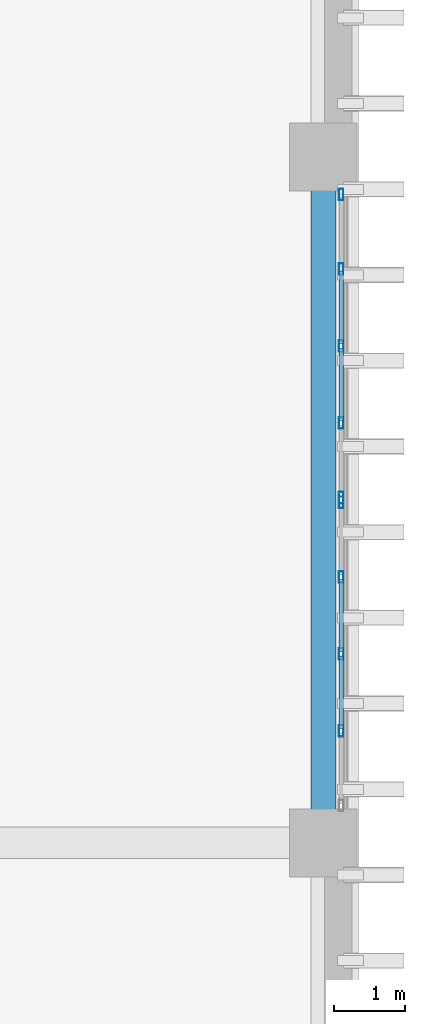
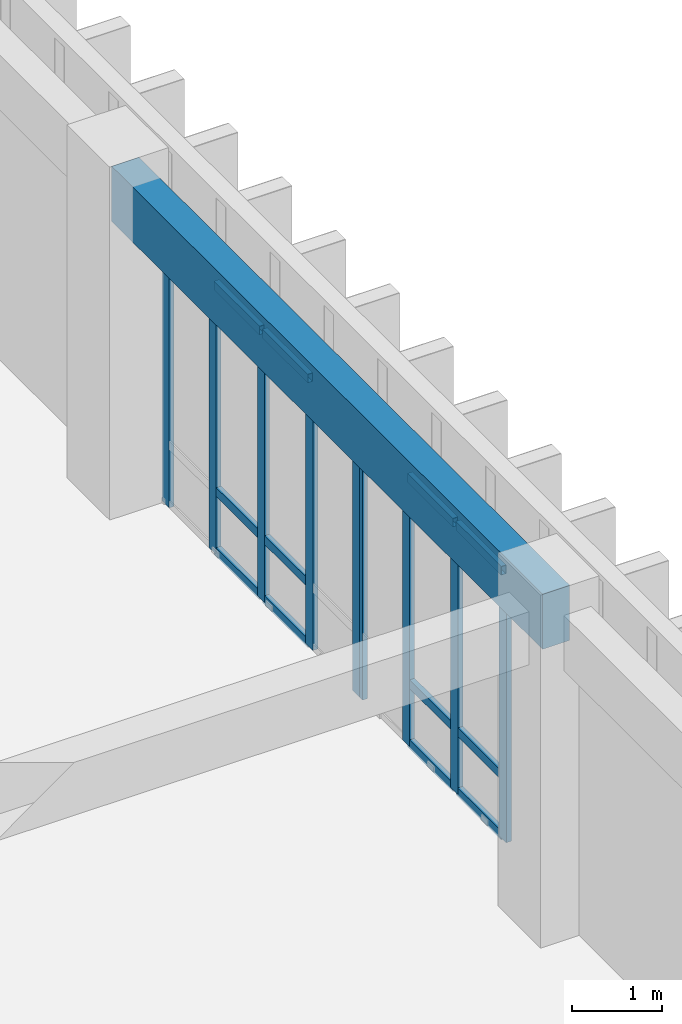
# One storey, part 62 of 133: 21 members, 1 beam, 2 elements without a shape of their own.
"""IFC4 building model written with IfcOpenShell, lengths in metres."""

from ifc_helpers import new_model, si_unit, direction, frame, origin, origin_2d, place, context, subcontext, project, spatial, rectangle, hollow_rectangle, extrude, material, layer, layer_set, material_profile, profile_set, type_object, element, aggregate, save


model = new_model("IFC4")

# Units and contexts
model_context = context("Model", 3, precision=1e-05, world=origin(), true_north=direction((0.0, 1.0)))
body_context = subcontext(model_context, "Body", "Model", "MODEL_VIEW")
ifc_project = project(units=[si_unit("LENGTHUNIT", "METRE"), si_unit("AREAUNIT", "SQUARE_METRE"), si_unit("VOLUMEUNIT", "CUBIC_METRE"), si_unit("PLANEANGLEUNIT", "RADIAN"), si_unit("MASSUNIT", "GRAM", prefix="KILO")], contexts=[model_context])

# Site, building, storey
site_placement = place(None, origin())
site = spatial("IfcSite", under=ifc_project, at=site_placement, CompositionType="ELEMENT")
building_placement = place(site_placement, origin())
building = spatial("IfcBuilding", under=site, at=building_placement, Name="Nakhvara Creek Congress Hotel", CompositionType="ELEMENT")
storey_placement = place(building_placement, frame((0.0, 0.0, 11.39990234375)))
storey = spatial("IfcBuildingStorey", under=building, at=storey_placement, Name="L02", CompositionType="ELEMENT", Elevation=11.39990234375)

# Beam
ifc_material_1 = material(Name="Concrete C40/50", Category="concrete")
ifc_material_profile_1 = material_profile(ifc_material_1, rectangle(XDim=0.35009765625, YDim=0.75, at=origin_2d()), Name="RC-SPANDREL 350x750", Category="LoadBearing")
ifc_profile_set_1 = profile_set([ifc_material_profile_1], Name="Concrete C40/50")
beam_type = type_object("IfcBeamType", Name="BM-SPN-350X750", PredefinedType="SPANDREL", material=ifc_profile_set_1)
beam_placement = place(storey_placement, frame((179.35009765625, 28.800048828125, 4.045166015625), z_axis=(0.0, 1.0, 0.0), x_axis=(-1.0, 0.0, 0.0)))
element("IfcBeam", 1, at=beam_placement, inside=storey, type_object=beam_type, Name="Beam SP1-L02-1654", PredefinedType="SPANDREL", context=body_context, shape_type="SweptSolid", body=[
    extrude(rectangle(XDim=0.35009765625, YDim=0.75, at=origin_2d()), origin(), (0.0, 0.0, 1.0), 9.599853515625),
])

# Curtain wall, members
ifc_material_2 = material(Name="Bronze-anodised aluminium AW-6063-T6 and double-silver low-E glass", Category="aluminium")
ifc_layer = layer(ifc_material_2, 0.199951171875)
ifc_layer_set = layer_set([ifc_layer], Name="Bronze-anodised aluminium AW-6063-T6 and double-silver low-E glass")
curtain_wall_type = type_object("IfcCurtainWallType", Name="CW-HTL-UNIT", PredefinedType="USERDEFINED", material=ifc_layer_set)
curtain_wall_1_placement = place(storey_placement, origin())
curtain_wall_1 = element("IfcCurtainWall", 2, at=curtain_wall_1_placement, inside=storey, type_object=curtain_wall_type, Name="Curtain Wall CW132", ObjectType="UNITISED", PredefinedType="USERDEFINED")
ifc_material_3 = material(Name="Bronze-anodised aluminium AW-6063-T6", Category="aluminium")
ifc_material_profile_2 = material_profile(ifc_material_3, hollow_rectangle(XDim=0.06494140625, YDim=0.159912109375, WallThickness=0.00390625, at=origin_2d()), Name="ALU-MULL 65x160x4", Category="LoadBearing")
ifc_profile_set_2 = profile_set([ifc_material_profile_2], Name="Bronze-anodised aluminium AW-6063-T6")
member_type_1 = type_object("IfcMemberType", Name="CW-MULL-160", PredefinedType="MULLION", material=ifc_profile_set_2)
member_1_placement = place(storey_placement, frame((179.60009765625, 33.5673828125, 0.0), z_axis=(0.0, 0.0, 1.0), x_axis=(1.0, 0.0, 0.0)))
member_1 = element("IfcMember", 3, at=member_1_placement, type_object=member_type_1, Name="CW132 mullion 1", PredefinedType="MULLION", context=body_context, shape_type="SweptSolid", body=[
    extrude(hollow_rectangle(XDim=0.06494140625, YDim=0.159912109375, WallThickness=0.00390625, at=origin_2d()), origin(), (0.0, 0.0, 1.0), 3.662109375),
])
member_2_placement = place(storey_placement, frame((179.60009765625, 32.5224609375, 0.0), z_axis=(0.0, 0.0, 1.0), x_axis=(1.0, 0.0, 0.0)))
member_2 = element("IfcMember", 4, at=member_2_placement, type_object=member_type_1, Name="CW132 mullion 2", PredefinedType="MULLION", context=body_context, shape_type="SweptSolid", body=[
    extrude(hollow_rectangle(XDim=0.06494140625, YDim=0.159912109375, WallThickness=0.00390625, at=origin_2d()), origin(), (0.0, 0.0, 1.0), 3.662109375),
])
member_3_placement = place(storey_placement, frame((179.60009765625, 31.445068359375, 0.0), z_axis=(0.0, 0.0, 1.0), x_axis=(1.0, 0.0, 0.0)))
member_3 = element("IfcMember", 5, at=member_3_placement, type_object=member_type_1, Name="CW132 mullion 3", PredefinedType="MULLION", context=body_context, shape_type="SweptSolid", body=[
    extrude(hollow_rectangle(XDim=0.06494140625, YDim=0.159912109375, WallThickness=0.00390625, at=origin_2d()), origin(), (0.0, 0.0, 1.0), 3.662109375),
])
member_4_placement = place(storey_placement, frame((179.60009765625, 30.367431640625, 0.0), z_axis=(0.0, 0.0, 1.0), x_axis=(1.0, 0.0, 0.0)))
member_4 = element("IfcMember", 6, at=member_4_placement, type_object=member_type_1, Name="CW132 mullion 4", PredefinedType="MULLION", context=body_context, shape_type="SweptSolid", body=[
    extrude(hollow_rectangle(XDim=0.06494140625, YDim=0.159912109375, WallThickness=0.00390625, at=origin_2d()), origin(), (0.0, 0.0, 1.0), 3.662109375),
])

curtain_wall_2_placement = place(storey_placement, origin())
curtain_wall_2 = element("IfcCurtainWall", 7, at=curtain_wall_2_placement, inside=storey, type_object=curtain_wall_type, Name="Curtain Wall CW133", ObjectType="UNITISED", PredefinedType="USERDEFINED")
member_5_placement = place(storey_placement, frame((179.60009765625, 37.87744140625, 0.0), z_axis=(0.0, 0.0, 1.0), x_axis=(1.0, 0.0, 0.0)))
member_5 = element("IfcMember", 8, at=member_5_placement, type_object=member_type_1, Name="CW133 mullion 1", PredefinedType="MULLION", context=body_context, shape_type="SweptSolid", body=[
    extrude(hollow_rectangle(XDim=0.06494140625, YDim=0.159912109375, WallThickness=0.00390625, at=origin_2d()), origin(), (0.0, 0.0, 1.0), 3.662109375),
])
member_6_placement = place(storey_placement, frame((179.60009765625, 36.83251953125, 0.0), z_axis=(0.0, 0.0, 1.0), x_axis=(1.0, 0.0, 0.0)))
member_6 = element("IfcMember", 9, at=member_6_placement, type_object=member_type_1, Name="CW133 mullion 2", PredefinedType="MULLION", context=body_context, shape_type="SweptSolid", body=[
    extrude(hollow_rectangle(XDim=0.06494140625, YDim=0.159912109375, WallThickness=0.00390625, at=origin_2d()), origin(), (0.0, 0.0, 1.0), 3.662109375),
])
member_7_placement = place(storey_placement, frame((179.60009765625, 35.7548828125, 0.0), z_axis=(0.0, 0.0, 1.0), x_axis=(1.0, 0.0, 0.0)))
member_7 = element("IfcMember", 10, at=member_7_placement, type_object=member_type_1, Name="CW133 mullion 3", PredefinedType="MULLION", context=body_context, shape_type="SweptSolid", body=[
    extrude(hollow_rectangle(XDim=0.06494140625, YDim=0.159912109375, WallThickness=0.00390625, at=origin_2d()), origin(), (0.0, 0.0, 1.0), 3.662109375),
])
member_8_placement = place(storey_placement, frame((179.60009765625, 34.677490234375, 0.0), z_axis=(0.0, 0.0, 1.0), x_axis=(1.0, 0.0, 0.0)))
member_8 = element("IfcMember", 11, at=member_8_placement, type_object=member_type_1, Name="CW133 mullion 4", PredefinedType="MULLION", context=body_context, shape_type="SweptSolid", body=[
    extrude(hollow_rectangle(XDim=0.06494140625, YDim=0.159912109375, WallThickness=0.00390625, at=origin_2d()), origin(), (0.0, 0.0, 1.0), 3.662109375),
])
member_9_placement = place(storey_placement, frame((179.60009765625, 33.632568359375, 0.0), z_axis=(0.0, 0.0, 1.0), x_axis=(1.0, 0.0, 0.0)))
member_9 = element("IfcMember", 12, at=member_9_placement, type_object=member_type_1, Name="CW133 mullion 5", PredefinedType="MULLION", context=body_context, shape_type="SweptSolid", body=[
    extrude(hollow_rectangle(XDim=0.06494140625, YDim=0.159912109375, WallThickness=0.00390625, at=origin_2d()), origin(), (0.0, 0.0, 1.0), 3.662109375),
])

# Member
ifc_material_profile_3 = material_profile(ifc_material_3, hollow_rectangle(XDim=0.06494140625, YDim=0.1201171875, WallThickness=0.00390625, at=origin_2d()), Name="ALU-TRAN 65x120x4", Category="LoadBearing")
ifc_profile_set_3 = profile_set([ifc_material_profile_3], Name="Bronze-anodised aluminium AW-6063-T6")
member_type_2 = type_object("IfcMemberType", Name="CW-TRAN-120", PredefinedType="USERDEFINED", material=ifc_profile_set_3)
member_10_placement = place(storey_placement, frame((179.60009765625, 32.489990234375, 0.03271484375), z_axis=(0.0, -1.0, 0.0), x_axis=(1.0, 0.0, 0.0)))
member_10 = element("IfcMember", 13, at=member_10_placement, type_object=member_type_2, Name="CW132 transom 2.1", ObjectType="TRANSOM", PredefinedType="USERDEFINED", context=body_context, shape_type="SweptSolid", body=[
    extrude(hollow_rectangle(XDim=0.06494140625, YDim=0.1201171875, WallThickness=0.00390625, at=origin_2d()), origin(), (0.0, 0.0, 1.0), 1.012451171875),
])

member_11_placement = place(storey_placement, frame((179.60009765625, 32.489990234375, 0.85009765625), z_axis=(0.0, -1.0, 0.0), x_axis=(1.0, 0.0, 0.0)))
member_11 = element("IfcMember", 14, at=member_11_placement, type_object=member_type_2, Name="CW132 transom 2.2", ObjectType="TRANSOM", PredefinedType="USERDEFINED", context=body_context, shape_type="SweptSolid", body=[
    extrude(hollow_rectangle(XDim=0.06494140625, YDim=0.1201171875, WallThickness=0.00390625, at=origin_2d()), origin(), (0.0, 0.0, 1.0), 1.012451171875),
])

member_12_placement = place(storey_placement, frame((179.60009765625, 32.489990234375, 3.629638671875), z_axis=(0.0, -1.0, 0.0), x_axis=(1.0, 0.0, 0.0)))
member_12 = element("IfcMember", 15, at=member_12_placement, type_object=member_type_2, Name="CW132 transom 2.3", ObjectType="TRANSOM", PredefinedType="USERDEFINED", context=body_context, shape_type="SweptSolid", body=[
    extrude(hollow_rectangle(XDim=0.06494140625, YDim=0.1201171875, WallThickness=0.00390625, at=origin_2d()), origin(), (0.0, 0.0, 1.0), 1.012451171875),
])

member_13_placement = place(storey_placement, frame((179.60009765625, 31.41259765625, 0.03271484375), z_axis=(0.0, -1.0, 0.0), x_axis=(1.0, 0.0, 0.0)))
member_13 = element("IfcMember", 16, at=member_13_placement, type_object=member_type_2, Name="CW132 transom 3.1", ObjectType="TRANSOM", PredefinedType="USERDEFINED", context=body_context, shape_type="SweptSolid", body=[
    extrude(hollow_rectangle(XDim=0.06494140625, YDim=0.1201171875, WallThickness=0.00390625, at=origin_2d()), origin(), (0.0, 0.0, 1.0), 1.0126953125),
])

member_14_placement = place(storey_placement, frame((179.60009765625, 31.41259765625, 0.85009765625), z_axis=(0.0, -1.0, 0.0), x_axis=(1.0, 0.0, 0.0)))
member_14 = element("IfcMember", 17, at=member_14_placement, type_object=member_type_2, Name="CW132 transom 3.2", ObjectType="TRANSOM", PredefinedType="USERDEFINED", context=body_context, shape_type="SweptSolid", body=[
    extrude(hollow_rectangle(XDim=0.06494140625, YDim=0.1201171875, WallThickness=0.00390625, at=origin_2d()), origin(), (0.0, 0.0, 1.0), 1.0126953125),
])

member_15_placement = place(storey_placement, frame((179.60009765625, 31.41259765625, 3.629638671875), z_axis=(0.0, -1.0, 0.0), x_axis=(1.0, 0.0, 0.0)))
member_15 = element("IfcMember", 18, at=member_15_placement, type_object=member_type_2, Name="CW132 transom 3.3", ObjectType="TRANSOM", PredefinedType="USERDEFINED", context=body_context, shape_type="SweptSolid", body=[
    extrude(hollow_rectangle(XDim=0.06494140625, YDim=0.1201171875, WallThickness=0.00390625, at=origin_2d()), origin(), (0.0, 0.0, 1.0), 1.0126953125),
])

aggregate(curtain_wall_1, [member_1, member_2, member_3, member_4, member_10, member_11, member_12, member_13, member_14, member_15])

member_16_placement = place(storey_placement, frame((179.60009765625, 36.800048828125, 0.03271484375), z_axis=(0.0, -1.0, 0.0), x_axis=(1.0, 0.0, 0.0)))
member_16 = element("IfcMember", 19, at=member_16_placement, type_object=member_type_2, Name="CW133 transom 2.1", ObjectType="TRANSOM", PredefinedType="USERDEFINED", context=body_context, shape_type="SweptSolid", body=[
    extrude(hollow_rectangle(XDim=0.06494140625, YDim=0.1201171875, WallThickness=0.00390625, at=origin_2d()), origin(), (0.0, 0.0, 1.0), 1.012451171875),
])

member_17_placement = place(storey_placement, frame((179.60009765625, 36.800048828125, 0.85009765625), z_axis=(0.0, -1.0, 0.0), x_axis=(1.0, 0.0, 0.0)))
member_17 = element("IfcMember", 20, at=member_17_placement, type_object=member_type_2, Name="CW133 transom 2.2", ObjectType="TRANSOM", PredefinedType="USERDEFINED", context=body_context, shape_type="SweptSolid", body=[
    extrude(hollow_rectangle(XDim=0.06494140625, YDim=0.1201171875, WallThickness=0.00390625, at=origin_2d()), origin(), (0.0, 0.0, 1.0), 1.012451171875),
])

member_18_placement = place(storey_placement, frame((179.60009765625, 36.800048828125, 3.629638671875), z_axis=(0.0, -1.0, 0.0), x_axis=(1.0, 0.0, 0.0)))
member_18 = element("IfcMember", 21, at=member_18_placement, type_object=member_type_2, Name="CW133 transom 2.3", ObjectType="TRANSOM", PredefinedType="USERDEFINED", context=body_context, shape_type="SweptSolid", body=[
    extrude(hollow_rectangle(XDim=0.06494140625, YDim=0.1201171875, WallThickness=0.00390625, at=origin_2d()), origin(), (0.0, 0.0, 1.0), 1.012451171875),
])

member_19_placement = place(storey_placement, frame((179.60009765625, 35.722412109375, 0.03271484375), z_axis=(0.0, -1.0, 0.0), x_axis=(1.0, 0.0, 0.0)))
member_19 = element("IfcMember", 22, at=member_19_placement, type_object=member_type_2, Name="CW133 transom 3.1", ObjectType="TRANSOM", PredefinedType="USERDEFINED", context=body_context, shape_type="SweptSolid", body=[
    extrude(hollow_rectangle(XDim=0.06494140625, YDim=0.1201171875, WallThickness=0.00390625, at=origin_2d()), origin(), (0.0, 0.0, 1.0), 1.012451171875),
])

member_20_placement = place(storey_placement, frame((179.60009765625, 35.722412109375, 0.85009765625), z_axis=(0.0, -1.0, 0.0), x_axis=(1.0, 0.0, 0.0)))
member_20 = element("IfcMember", 23, at=member_20_placement, type_object=member_type_2, Name="CW133 transom 3.2", ObjectType="TRANSOM", PredefinedType="USERDEFINED", context=body_context, shape_type="SweptSolid", body=[
    extrude(hollow_rectangle(XDim=0.06494140625, YDim=0.1201171875, WallThickness=0.00390625, at=origin_2d()), origin(), (0.0, 0.0, 1.0), 1.012451171875),
])

member_21_placement = place(storey_placement, frame((179.60009765625, 35.722412109375, 3.629638671875), z_axis=(0.0, -1.0, 0.0), x_axis=(1.0, 0.0, 0.0)))
member_21 = element("IfcMember", 24, at=member_21_placement, type_object=member_type_2, Name="CW133 transom 3.3", ObjectType="TRANSOM", PredefinedType="USERDEFINED", context=body_context, shape_type="SweptSolid", body=[
    extrude(hollow_rectangle(XDim=0.06494140625, YDim=0.1201171875, WallThickness=0.00390625, at=origin_2d()), origin(), (0.0, 0.0, 1.0), 1.012451171875),
])

aggregate(curtain_wall_2, [member_5, member_6, member_7, member_8, member_9, member_16, member_17, member_18, member_19, member_20, member_21])

save(model, "model.ifc")
